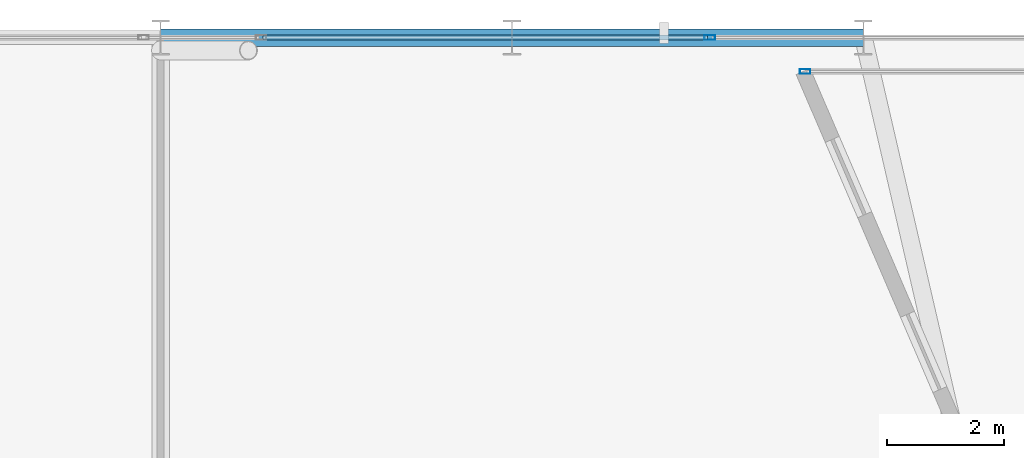
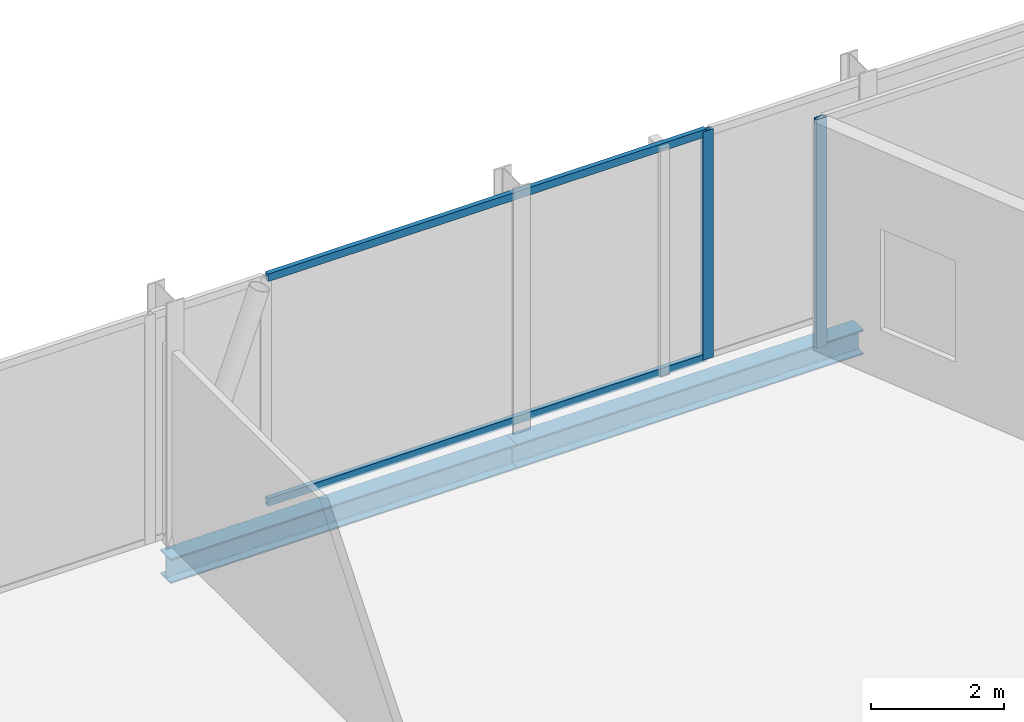
# One storey, part 21 of 31: 4 members, 2 beams, 2 elements without a shape of their own.
"""IFC4 building model written with IfcOpenShell, lengths in metres."""

from ifc_helpers import new_model, si_unit, direction, frame, origin, origin_2d, place, context, subcontext, project, spatial, hollow_rectangle, i_section, extrude, material, layer, layer_set, material_profile, profile_set, type_object, element, aggregate, save


model = new_model("IFC4")

# Units and contexts
model_context = context("Model", 3, precision=1e-05, world=origin(), true_north=direction((0.0, 1.0)))
body_context = subcontext(model_context, "Body", "Model", "MODEL_VIEW")
ifc_project = project(units=[si_unit("LENGTHUNIT", "METRE"), si_unit("AREAUNIT", "SQUARE_METRE"), si_unit("VOLUMEUNIT", "CUBIC_METRE"), si_unit("PLANEANGLEUNIT", "RADIAN"), si_unit("MASSUNIT", "GRAM", prefix="KILO")], contexts=[model_context])

# Site, building, storey
site_placement = place(None, origin())
site = spatial("IfcSite", under=ifc_project, at=site_placement, CompositionType="ELEMENT")
building_placement = place(site_placement, origin())
building = spatial("IfcBuilding", under=site, at=building_placement, Name="Keshet Zoharim Tower", CompositionType="ELEMENT")
storey_placement = place(building_placement, frame((0.0, 0.0, 125.300048828125)))
storey = spatial("IfcBuildingStorey", under=building, at=storey_placement, Name="L30", CompositionType="ELEMENT", Elevation=125.300048828125)

# Beams
ifc_material_1 = material(Name="Steel S355", Category="steel")
ifc_material_profile_1 = material_profile(ifc_material_1, i_section(OverallWidth=0.300048828125, OverallDepth=0.449951171875, WebThickness=0.013916015625, FlangeThickness=0.02587890625, FilletRadius=0.027099609375, at=origin_2d()), Name="HEB450")
ifc_profile_set_1 = profile_set([ifc_material_profile_1], Name="Steel S355")
beam_type = type_object("IfcBeamType", Name="BM-WEB-HB450", PredefinedType="BEAM", material=ifc_profile_set_1)
for number, where, z_axis, x_axis, name in (
    (1, (33.0, 53.89990234375, -0.545166015625), (1.0, 0.0, 0.0), (0.0, 1.0, 0.0), "L30 Primary Girder X-021"),
    (2, (39.0, 53.89990234375, -0.545166015625), (1.0, 0.0, 0.0), (0.0, 1.0, 0.0), "L30 Primary Girder X-022"),
):
    element("IfcBeam", number, at=place(storey_placement, frame(where, z_axis=z_axis, x_axis=x_axis)), inside=storey, type_object=beam_type, Name=name, PredefinedType="BEAM", context=body_context, shape_type="SweptSolid", body=[
        extrude(i_section(OverallWidth=0.300048828125, OverallDepth=0.449951171875, WebThickness=0.013916015625, FlangeThickness=0.02587890625, FilletRadius=0.027099609375, at=origin_2d()), origin(), (0.0, 0.0, 1.0), 6.0),
    ])

# Curtain wall, member
ifc_material_2 = material(Name="Aluminium 6063-T6", Category="aluminium")
ifc_layer = layer(ifc_material_2, 0.14990234375)
ifc_layer_set = layer_set([ifc_layer], Name="Aluminium 6063-T6")
curtain_wall_type = type_object("IfcCurtainWallType", Name="CW-SYS-04", PredefinedType="NOTDEFINED", material=ifc_layer_set)
curtain_wall_1_placement = place(storey_placement, origin())
curtain_wall_1 = element("IfcCurtainWall", 3, at=curtain_wall_1_placement, inside=storey, type_object=curtain_wall_type, Name="L30 Unitised Curtain Wall 19 Part 5", PredefinedType="NOTDEFINED")
ifc_material_profile_2 = material_profile(ifc_material_2, hollow_rectangle(XDim=0.080078125, YDim=0.179931640625, WallThickness=0.00439453125, at=origin_2d()), Name="MUL-80x180")
ifc_profile_set_2 = profile_set([ifc_material_profile_2], Name="Aluminium 6063-T6")
member_type_1 = type_object("IfcMemberType", Name="CWM-M18", PredefinedType="MULLION", material=ifc_profile_set_2)
member_1_placement = place(storey_placement, frame((42.376220703125, 53.89990234375, 0.0), z_axis=(0.0, 0.0, 1.0), x_axis=(0.0, 1.0, 0.0)))
member_1 = element("IfcMember", 4, at=member_1_placement, type_object=member_type_1, Name="CW-04 mullion 2", PredefinedType="MULLION", context=body_context, shape_type="SweptSolid", body=[
    extrude(hollow_rectangle(XDim=0.080078125, YDim=0.179931640625, WallThickness=0.00439453125, at=origin_2d()), origin(), (0.0, 0.0, 1.0), 4.18505859375),
])

curtain_wall_2_placement = place(storey_placement, origin())
curtain_wall_2 = element("IfcCurtainWall", 5, at=curtain_wall_2_placement, inside=storey, type_object=curtain_wall_type, Name="L30 Unitised Curtain Wall 21", PredefinedType="NOTDEFINED")
member_2_placement = place(storey_placement, frame((44.0048828125, 53.320068359375, 0.0), z_axis=(0.0, 0.0, 1.0), x_axis=(0.0, -1.0, 0.0)))
member_2 = element("IfcMember", 6, at=member_2_placement, type_object=member_type_1, Name="CW-04 mullion 2", PredefinedType="MULLION", context=body_context, shape_type="SweptSolid", body=[
    extrude(hollow_rectangle(XDim=0.080078125, YDim=0.179931640625, WallThickness=0.00439453125, at=origin_2d()), origin(), (0.0, 0.0, 1.0), 4.18505859375),
])
aggregate(curtain_wall_2, [member_2])

# Member
ifc_material_profile_3 = material_profile(ifc_material_2, hollow_rectangle(XDim=0.080078125, YDim=0.139892578125, WallThickness=0.00390625, at=origin_2d()), Name="TRN-80x140")
ifc_profile_set_3 = profile_set([ifc_material_profile_3], Name="Aluminium 6063-T6")
member_type_2 = type_object("IfcMemberType", Name="CWT-T14", PredefinedType="USERDEFINED", material=ifc_profile_set_3)
member_3_placement = place(storey_placement, frame((34.75244140625, 53.89990234375, 0.034912109375), z_axis=(1.0, 0.0, 0.0), x_axis=(0.0, 1.0, 0.0)))
member_3 = element("IfcMember", 7, at=member_3_placement, type_object=member_type_2, Name="CW-04 transom 1.1", ObjectType="TRANSOM", PredefinedType="USERDEFINED", context=body_context, shape_type="SweptSolid", body=[
    extrude(hollow_rectangle(XDim=0.080078125, YDim=0.139892578125, WallThickness=0.00390625, at=origin_2d()), origin(), (0.0, 0.0, 1.0), 7.5888671875),
])

member_4_placement = place(storey_placement, frame((34.75244140625, 53.89990234375, 4.14990234375), z_axis=(1.0, 0.0, 0.0), x_axis=(0.0, 1.0, 0.0)))
member_4 = element("IfcMember", 8, at=member_4_placement, type_object=member_type_2, Name="CW-04 transom 1.2", ObjectType="TRANSOM", PredefinedType="USERDEFINED", context=body_context, shape_type="SweptSolid", body=[
    extrude(hollow_rectangle(XDim=0.080078125, YDim=0.139892578125, WallThickness=0.00390625, at=origin_2d()), origin(), (0.0, 0.0, 1.0), 7.5888671875),
])

aggregate(curtain_wall_1, [member_1, member_3, member_4])

save(model, "model.ifc")
